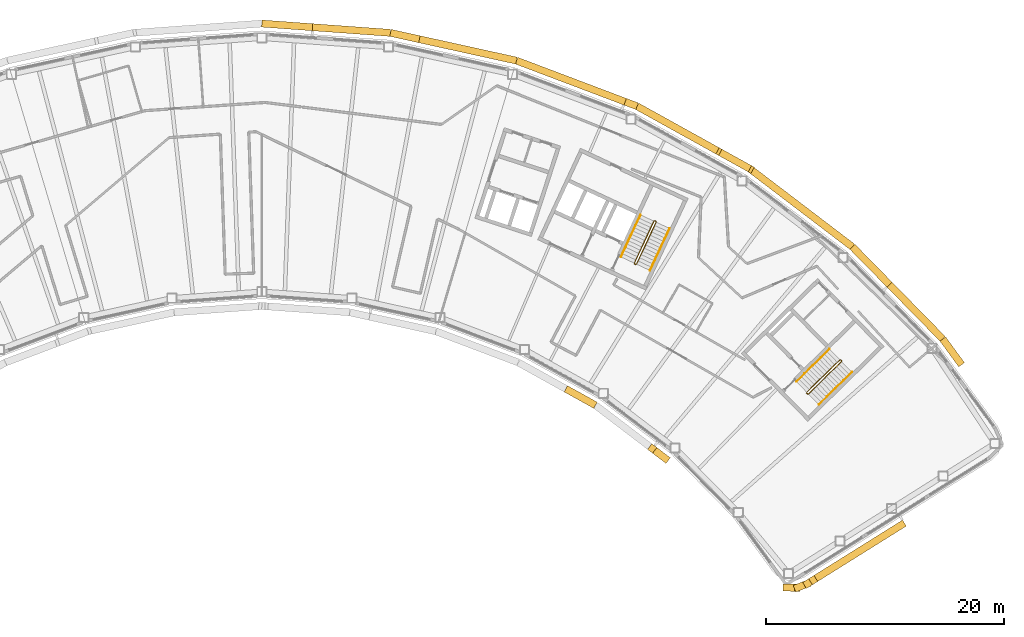
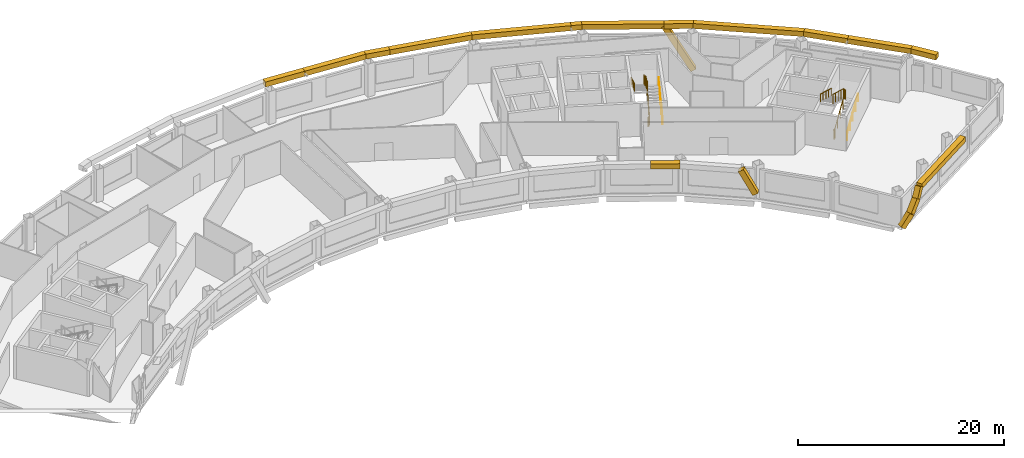
# One storey, part 14 of 15: 19 coverings, 6 railings.
"""IFC4 building model written with IfcOpenShell, lengths in metres."""

import ifcopenshell
import ifcopenshell.guid

model = None  # the IFC model being written
_history = None  # IfcOwnerHistory: only IFC2X3 demands one
_inside = {}  # id of a spatial element -> (the spatial element, [elements in it])
_under = {}  # id of a project, library or spatial element -> (it, [spatial elements below it])
_declared = {}  # id of a project -> (the project, [libraries it declares])
_typed = {}  # id of a type object -> (the type object, [elements of that type])
_made_of = {}  # id of a material, layer set ... -> (it, [elements and type objects made of it])


def new_model(schema):
    """Start an empty IFC model of exactly this schema.

    Asked for "IFC4X3", IfcOpenShell would pick the latest addendum, in which some entities
    have other attributes; the version numbers below select the first issue.
    IFC2X3 requires an IfcOwnerHistory on every rooted entity: one is made here for all.
    """
    global model, _history
    if schema == "IFC4X3":
        model = ifcopenshell.file(schema_version=(4, 3, 0, 0))
    else:
        model = ifcopenshell.file(schema=schema)
    _inside.clear()
    _under.clear()
    _declared.clear()
    _typed.clear()
    _made_of.clear()
    _history = None
    if model.schema == "IFC2X3":
        org = make("IfcOrganization", Name="unknown")
        user = make(
            "IfcPersonAndOrganization",
            ThePerson=make("IfcPerson", FamilyName="unknown"),
            TheOrganization=org,
        )
        app = make(
            "IfcApplication",
            ApplicationDeveloper=org,
            Version="unknown",
            ApplicationFullName="unknown",
            ApplicationIdentifier="unknown",
        )
        _history = make(
            "IfcOwnerHistory",
            OwningUser=user,
            OwningApplication=app,
            ChangeAction="ADDED",
            CreationDate=0,
        )
    return model


def make(cls, **values):
    """One entity of the class cls with the attributes given. An attribute that is None is left unset."""
    return model.create_entity(
        cls, **{name: value for name, value in values.items() if value is not None}
    )


def rooted(cls, **values):
    """An entity with a GlobalId (a new one), such as an element, a storey or a relation."""
    return make(cls, GlobalId=ifcopenshell.guid.new(), OwnerHistory=_history, **values)


def si_unit(unit_type, name, prefix=None):
    """IfcSIUnit, for example si_unit("LENGTHUNIT", "METRE", prefix="MILLI")."""
    return make("IfcSIUnit", UnitType=unit_type, Prefix=prefix, Name=name)


def assignment(units):
    """IfcUnitAssignment: the units of a project."""
    return None if units is None else make("IfcUnitAssignment", Units=units)


def point(xyz):
    """IfcCartesianPoint."""
    return None if xyz is None else make("IfcCartesianPoint", Coordinates=xyz)


def direction(xyz):
    """IfcDirection."""
    return None if xyz is None else make("IfcDirection", DirectionRatios=xyz)


def frame(location, z_axis=None, x_axis=None):
    """IfcAxis2Placement3D, a coordinate frame: its origin and axes. An axis left out is left unset."""
    return make(
        "IfcAxis2Placement3D",
        Location=point(location),
        Axis=direction(z_axis),
        RefDirection=direction(x_axis),
    )


def frame_2d(location, x_axis=None):
    """IfcAxis2Placement2D, a coordinate frame in the plane: its origin and x axis."""
    return make(
        "IfcAxis2Placement2D", Location=point(location), RefDirection=direction(x_axis)
    )


def origin():
    """The frame at (0, 0, 0) with its axes left unset."""
    return frame((0.0, 0.0, 0.0))


def origin_2d():
    """The frame at (0, 0) in the plane with its x axis left unset."""
    return frame_2d((0.0, 0.0))


def place(relative_to, where):
    """IfcLocalPlacement: puts the frame where relative to a parent placement (None: the world)."""
    return make(
        "IfcLocalPlacement", PlacementRelTo=relative_to, RelativePlacement=where
    )


def context(
    kind, dimensions, precision=None, world=None, true_north=None, identifier=None
):
    """IfcGeometricRepresentationContext, for example the 3D "Model" context."""
    return make(
        "IfcGeometricRepresentationContext",
        ContextIdentifier=identifier,
        ContextType=kind,
        CoordinateSpaceDimension=dimensions,
        Precision=precision,
        WorldCoordinateSystem=world,
        TrueNorth=true_north,
    )


def subcontext(parent, identifier, kind, view, scale=None):
    """IfcGeometricRepresentationSubContext, for example "Body" below "Model"."""
    return make(
        "IfcGeometricRepresentationSubContext",
        ContextIdentifier=identifier,
        ContextType=kind,
        ParentContext=parent,
        TargetScale=scale,
        TargetView=view,
    )


def project(units=None, contexts=None):
    """IfcProject with its units and contexts."""
    return rooted(
        "IfcProject",
        Name="project",
        RepresentationContexts=contexts,
        UnitsInContext=assignment(units),
    )


def spatial(cls, under=None, at=None, **own):
    """A site, building, storey or space (cls), placed at a placement, below another one or the project."""
    s = rooted(cls, ObjectPlacement=at, **own)
    if under is not None:
        _under.setdefault(under.id(), (under, []))[1].append(s)
    return s


def profile(cls, at=None, kind="AREA", **sizes):
    """A parametric profile (cls). Its sizes go by their IFC names, for example OverallWidth=200.0."""
    return make(cls, ProfileType=kind, Position=at, **sizes)


def rectangle(**sizes):
    """IfcRectangleProfileDef."""
    return profile("IfcRectangleProfileDef", **sizes)


def circle(**sizes):
    """IfcCircleProfileDef."""
    return profile("IfcCircleProfileDef", **sizes)


def extrude(swept, where, along, depth):
    """IfcExtrudedAreaSolid: the profile swept, set in the frame where, extruded along a direction by depth."""
    return make(
        "IfcExtrudedAreaSolid",
        SweptArea=swept,
        Position=where,
        ExtrudedDirection=direction(along),
        Depth=depth,
    )


def shape(context_of_items, identifier, shape_type, items):
    """IfcShapeRepresentation: the items that make up one representation, for example the "Body"."""
    return make(
        "IfcShapeRepresentation",
        ContextOfItems=context_of_items,
        RepresentationIdentifier=identifier,
        RepresentationType=shape_type,
        Items=items,
    )


def material(Name=None, Category=None):
    """IfcMaterial."""
    return make("IfcMaterial", Name=Name, Category=Category)


def material_profile(
    of_material, cross_section, Name=None, Category=None, Priority=None
):
    """IfcMaterialProfile: a cross section and its material."""
    return make(
        "IfcMaterialProfile",
        Name=Name,
        Material=of_material,
        Profile=cross_section,
        Priority=Priority,
        Category=Category,
    )


def profile_set(profiles, Name=None, composite=None):
    """IfcMaterialProfileSet."""
    return make(
        "IfcMaterialProfileSet",
        Name=Name,
        MaterialProfiles=profiles,
        CompositeProfile=composite,
    )


def made_of(thing, what):
    """Note that an element or type object is made of a material, layer set ...; save() writes the relation."""
    if what is not None:
        _made_of.setdefault(what.id(), (what, []))[1].append(thing)
    return thing


def type_object(cls, material=None, **own):
    """A type object (cls), such as IfcWallType, which elements share."""
    return made_of(rooted(cls, **own), material)


def element(
    cls,
    number,
    at=None,
    inside=None,
    cuts=None,
    type_object=None,
    material=None,
    context=None,
    identifier="Body",
    shape_type=None,
    held_by="IfcProductDefinitionShape",
    body=None,
    shapes=None,
    **own,
):
    """One element of the class cls, such as IfcWall. Its Tag is "e" and its number.

    at: its placement. inside: the storey or other place that contains it. cuts: it is an
    opening in that element (IfcRelVoidsElement). A single representation is given by context,
    identifier, shape_type and body (its items); several are given by shapes. held_by: the class
    of the entity that holds the representations. save() writes the other relations.
    """
    e = rooted(cls, Tag="e%d" % number, ObjectPlacement=at, **own)
    if body is not None:
        shapes = [shape(context, identifier, shape_type, body)]
    if shapes is not None:
        e.Representation = make(held_by, Representations=shapes)
    if inside is not None:
        _inside.setdefault(inside.id(), (inside, []))[1].append(e)
    if cuts is not None:
        rooted(
            "IfcRelVoidsElement", RelatingBuildingElement=cuts, RelatedOpeningElement=e
        )
    if type_object is not None:
        _typed.setdefault(type_object.id(), (type_object, []))[1].append(e)
    return made_of(e, material)


def aggregate(whole, parts):
    """IfcRelAggregates: a whole, such as a stair, and the parts it consists of."""
    return rooted("IfcRelAggregates", RelatingObject=whole, RelatedObjects=parts)


def save(model, path):
    """Write the relations noted so far, then the file.

    IfcRelAggregates (storeys below a building ...), IfcRelContainedInSpatialStructure (elements
    in a storey), IfcRelDefinesByType, IfcRelAssociatesMaterial and IfcRelDeclares: one each for
    every whole, place, type object, material and project.
    """
    for whole, parts in _under.values():
        aggregate(whole, parts)
    for where, things in _inside.values():
        rooted(
            "IfcRelContainedInSpatialStructure",
            RelatedElements=things,
            RelatingStructure=where,
        )
    for kind, things in _typed.values():
        rooted("IfcRelDefinesByType", RelatedObjects=things, RelatingType=kind)
    for what, things in _made_of.values():
        rooted("IfcRelAssociatesMaterial", RelatedObjects=things, RelatingMaterial=what)
    for by, libraries in _declared.values():
        rooted("IfcRelDeclares", RelatingContext=by, RelatedDefinitions=libraries)
    model.write(path)


model = new_model("IFC4")

# Units and contexts
model_context = context("Model", 3, precision=1e-05, world=origin(), true_north=direction((0.0, 1.0)))
body_context = subcontext(model_context, "Body", "Model", "MODEL_VIEW")
ifc_project = project(units=[si_unit("LENGTHUNIT", "METRE"), si_unit("AREAUNIT", "SQUARE_METRE"), si_unit("VOLUMEUNIT", "CUBIC_METRE"), si_unit("PLANEANGLEUNIT", "RADIAN"), si_unit("MASSUNIT", "GRAM", prefix="KILO")], contexts=[model_context])

# Site, building, storey
site_placement = place(None, origin())
site = spatial("IfcSite", under=ifc_project, at=site_placement, CompositionType="ELEMENT")
building_placement = place(site_placement, origin())
building = spatial("IfcBuilding", under=site, at=building_placement, Name="Tuul Gate Civic Tower", CompositionType="ELEMENT")
storey_placement = place(building_placement, frame((0.0, 0.0, 332.300048828125)))
storey = spatial("IfcBuildingStorey", under=building, at=storey_placement, Name="Level 75", CompositionType="ELEMENT", Elevation=332.300048828125)

# Railings
ifc_material_1 = material(Name="Painted steel", Category="steel")
railing_type_1 = type_object("IfcRailingType", Name="Stair guard", PredefinedType="GUARDRAIL", material=ifc_material_1)
railing_1_placement = place(storey_placement, frame((48.10546875, -16.134765625, 0.0)))
element("IfcRailing", 1, at=railing_1_placement, inside=storey, type_object=railing_type_1, Name="Level 75 ST-3 stair guard 1", PredefinedType="GUARDRAIL", context=body_context, shape_type="SweptSolid", body=[
    extrude(circle(Radius=0.02392578125, at=origin_2d()), frame((0.0, 0.0, 1.076171875), z_axis=(-0.698506948293, 0.715603272202, 0.0), x_axis=(-0.715603272202, -0.698506948293, 0.0)), (0.0, 0.0, 1.0), 0.099853515625),
    extrude(circle(Radius=0.02392578125, at=origin_2d()), frame((-0.06982421875, 0.071533203125, 1.076171875), z_axis=(0.645446321009, -0.331687692741, 0.688027849131), x_axis=(0.457068866502, 0.889431307788, 0.0)), (0.0, 0.0, 1.0), 0.2177734375),
    extrude(circle(Radius=0.02392578125, at=origin_2d()), frame((0.07080078125, -0.000732421875, 1.22607421875), z_axis=(0.638731261263, 0.626133563701, 0.447190268558), x_axis=(-0.700029477518, 0.714113947914, 0.0)), (0.0, 0.0, 1.0), 4.3603515625),
    extrude(circle(Radius=0.02392578125, at=origin_2d()), frame((2.85595703125, 2.7294921875, 3.17578125), z_axis=(0.010380063588, 0.999946125689, 0.0), x_axis=(-0.999946125689, 0.010380063588, 0.0)), (0.0, 0.0, 1.0), 0.070556640625),
    extrude(circle(Radius=0.02392578125, at=origin_2d()), frame((2.856689453125, 2.800048828125, 3.17578125), z_axis=(-0.699754442181, 0.714383454909, 0.0), x_axis=(-0.714383454909, -0.699754442181, 0.0)), (0.0, 0.0, 1.0), 0.10009765625),
    extrude(circle(Radius=0.02392578125, at=origin_2d()), frame((2.78662109375, 2.87158203125, 3.17578125), z_axis=(-0.426501027327, 0.004412079593, 0.904476316574), x_axis=(-0.010344274102, -0.999946496565, 0.0)), (0.0, 0.0, 1.0), 0.166015625),
    extrude(circle(Radius=0.02392578125, at=origin_2d()), frame((2.7158203125, 2.872314453125, 3.326171875), z_axis=(-0.638731261263, -0.626133563701, 0.447190268558), x_axis=(0.700029477518, -0.714113947914, 0.0)), (0.0, 0.0, 1.0), 4.3603515625),
    extrude(circle(Radius=0.02099609375, at=origin_2d()), origin(), (0.0, 0.0, 1.0), 1.052001953125),
    extrude(circle(Radius=0.02099609375, at=origin_2d()), frame((-0.06982421875, 0.071533203125, 0.0)), (0.0, 0.0, 1.0), 1.052001953125),
    extrude(circle(Radius=0.02099609375, at=origin_2d()), frame((0.07080078125, -0.000732421875, 0.14990234375)), (0.0, 0.0, 1.0), 1.052001953125),
    extrude(circle(Radius=0.02099609375, at=origin_2d()), frame((0.76708984375, 0.681884765625, 0.637451171875)), (0.0, 0.0, 1.0), 1.052001953125),
    extrude(circle(Radius=0.02099609375, at=origin_2d()), frame((1.46337890625, 1.3642578125, 1.125)), (0.0, 0.0, 1.0), 1.052001953125),
    extrude(circle(Radius=0.02099609375, at=origin_2d()), frame((2.15966796875, 2.046875, 1.6123046875)), (0.0, 0.0, 1.0), 1.052001953125),
    extrude(circle(Radius=0.02099609375, at=origin_2d()), frame((2.85595703125, 2.7294921875, 2.099853515625)), (0.0, 0.0, 1.0), 1.052001953125),
    extrude(circle(Radius=0.02099609375, at=origin_2d()), frame((2.856689453125, 2.800048828125, 2.099853515625)), (0.0, 0.0, 1.0), 1.052001953125),
    extrude(circle(Radius=0.02099609375, at=origin_2d()), frame((2.78662109375, 2.87158203125, 2.099853515625)), (0.0, 0.0, 1.0), 1.052001953125),
    extrude(circle(Radius=0.02099609375, at=origin_2d()), frame((2.7158203125, 2.872314453125, 2.25)), (0.0, 0.0, 1.0), 1.052001953125),
    extrude(circle(Radius=0.02099609375, at=origin_2d()), frame((2.01953125, 2.189697265625, 2.737548828125)), (0.0, 0.0, 1.0), 1.052001953125),
    extrude(circle(Radius=0.02099609375, at=origin_2d()), frame((1.3232421875, 1.50732421875, 3.22509765625)), (0.0, 0.0, 1.0), 1.052001953125),
    extrude(circle(Radius=0.02099609375, at=origin_2d()), frame((0.626953125, 0.82470703125, 3.71240234375)), (0.0, 0.0, 1.0), 1.052001953125),
    extrude(circle(Radius=0.02099609375, at=origin_2d()), frame((-0.0693359375, 0.14208984375, 4.199951171875)), (0.0, 0.0, 1.0), 1.052001953125),
])
railing_2_placement = place(storey_placement, frame((33.645751953125, -5.238525390625, 0.0)))
element("IfcRailing", 2, at=railing_2_placement, inside=storey, type_object=railing_type_1, Name="Level 75 ST-4 stair guard 1", PredefinedType="GUARDRAIL", context=body_context, shape_type="SweptSolid", body=[
    extrude(circle(Radius=0.02392578125, at=origin_2d()), frame((0.0, 0.0, 1.076171875), z_axis=(-0.906307919131, 0.422617978463, 0.0), x_axis=(-0.422617978463, -0.906307919131, 0.0)), (0.0, 0.0, 1.0), 0.099853515625),
    extrude(circle(Radius=0.02392578125, at=origin_2d()), frame((-0.090576171875, 0.042236328125, 1.076171875), z_axis=(0.720735628292, -0.082946246491, 0.688229666829), x_axis=(0.114330889033, 0.993442724979, 0.0)), (0.0, 0.0, 1.0), 0.2177734375),
    extrude(circle(Radius=0.02392578125, at=origin_2d()), frame((0.06640625, 0.024169921875, 1.22607421875), z_axis=(0.377946903738, 0.810654114417, 0.447209173356), x_axis=(-0.906336612539, 0.422556439746, 0.0)), (0.0, 0.0, 1.0), 4.3603515625),
    extrude(circle(Radius=0.02392578125, at=origin_2d()), frame((1.71435546875, 3.558837890625, 3.17578125), z_axis=(-0.342020437038, 0.939692513883, 0.0), x_axis=(-0.939692513883, -0.342020437038, 0.0)), (0.0, 0.0, 1.0), 0.070556640625),
    extrude(circle(Radius=0.02392578125, at=origin_2d()), frame((1.690185546875, 3.625244140625, 3.17578125), z_axis=(-0.906307919131, 0.422617978463, 0.0), x_axis=(-0.422617978463, -0.906307919131, 0.0)), (0.0, 0.0, 1.0), 0.099853515625),
    extrude(circle(Radius=0.02392578125, at=origin_2d()), frame((1.599609375, 3.66748046875, 3.17578125), z_axis=(-0.400168791901, -0.145649670582, 0.904793408159), x_axis=(0.342020437038, -0.939692513883, 0.0)), (0.0, 0.0, 1.0), 0.166015625),
    extrude(circle(Radius=0.02392578125, at=origin_2d()), frame((1.533203125, 3.643310546875, 3.326171875), z_axis=(-0.377946903738, -0.810654114417, 0.447209173356), x_axis=(0.906336612539, -0.422556439746, 0.0)), (0.0, 0.0, 1.0), 4.3603515625),
    extrude(circle(Radius=0.02099609375, at=origin_2d()), origin(), (0.0, 0.0, 1.0), 1.052001953125),
    extrude(circle(Radius=0.02099609375, at=origin_2d()), frame((-0.090576171875, 0.042236328125, 0.0)), (0.0, 0.0, 1.0), 1.052001953125),
    extrude(circle(Radius=0.02099609375, at=origin_2d()), frame((0.06640625, 0.024169921875, 0.14990234375)), (0.0, 0.0, 1.0), 1.052001953125),
    extrude(circle(Radius=0.02099609375, at=origin_2d()), frame((0.478515625, 0.90771484375, 0.637451171875)), (0.0, 0.0, 1.0), 1.052001953125),
    extrude(circle(Radius=0.02099609375, at=origin_2d()), frame((0.890380859375, 1.79150390625, 1.125)), (0.0, 0.0, 1.0), 1.052001953125),
    extrude(circle(Radius=0.02099609375, at=origin_2d()), frame((1.30224609375, 2.67529296875, 1.6123046875)), (0.0, 0.0, 1.0), 1.052001953125),
    extrude(circle(Radius=0.02099609375, at=origin_2d()), frame((1.71435546875, 3.558837890625, 2.099853515625)), (0.0, 0.0, 1.0), 1.052001953125),
    extrude(circle(Radius=0.02099609375, at=origin_2d()), frame((1.690185546875, 3.625244140625, 2.099853515625)), (0.0, 0.0, 1.0), 1.052001953125),
    extrude(circle(Radius=0.02099609375, at=origin_2d()), frame((1.599609375, 3.66748046875, 2.099853515625)), (0.0, 0.0, 1.0), 1.052001953125),
    extrude(circle(Radius=0.02099609375, at=origin_2d()), frame((1.533203125, 3.643310546875, 2.25)), (0.0, 0.0, 1.0), 1.052001953125),
    extrude(circle(Radius=0.02099609375, at=origin_2d()), frame((1.12109375, 2.759765625, 2.737548828125)), (0.0, 0.0, 1.0), 1.052001953125),
    extrude(circle(Radius=0.02099609375, at=origin_2d()), frame((0.709228515625, 1.8759765625, 3.22509765625)), (0.0, 0.0, 1.0), 1.052001953125),
    extrude(circle(Radius=0.02099609375, at=origin_2d()), frame((0.29736328125, 0.9921875, 3.71240234375)), (0.0, 0.0, 1.0), 1.052001953125),
    extrude(circle(Radius=0.02099609375, at=origin_2d()), frame((-0.11474609375, 0.108642578125, 4.199951171875)), (0.0, 0.0, 1.0), 1.052001953125),
])
ifc_material_2 = material(Name="Painted steel", Category="steel")
railing_type_2 = type_object("IfcRailingType", Name="Stair handrail", PredefinedType="HANDRAIL", material=ifc_material_2)
railing_3_placement = place(storey_placement, frame((49.05126953125, -17.028076171875, 0.14990234375)))
element("IfcRailing", 3, at=railing_3_placement, inside=storey, type_object=railing_type_2, Name="Level 75 ST-3 stair handrail 1", PredefinedType="HANDRAIL", context=body_context, shape_type="SweptSolid", body=[
    extrude(circle(Radius=0.02392578125, at=origin_2d()), frame((0.0, 0.0, 0.8759765625), z_axis=(0.638753653487, 0.626099522554, 0.447205945863), x_axis=(-0.699997553204, 0.714145241186, 0.0)), (0.0, 0.0, 1.0), 4.3603515625),
    extrude(circle(Radius=0.02099609375, at=origin_2d()), origin(), (0.0, 0.0, 1.0), 0.851806640625),
    extrude(circle(Radius=0.02099609375, at=origin_2d()), frame((0.6962890625, 0.6826171875, 0.487548828125)), (0.0, 0.0, 1.0), 0.851806640625),
    extrude(circle(Radius=0.02099609375, at=origin_2d()), frame((1.392578125, 1.364990234375, 0.97509765625)), (0.0, 0.0, 1.0), 0.851806640625),
    extrude(circle(Radius=0.02099609375, at=origin_2d()), frame((2.0888671875, 2.04736328125, 1.46240234375)), (0.0, 0.0, 1.0), 0.851806640625),
    extrude(circle(Radius=0.02099609375, at=origin_2d()), frame((2.78515625, 2.72998046875, 1.949951171875)), (0.0, 0.0, 1.0), 0.851806640625),
])
railing_4_placement = place(storey_placement, frame((49.9462890625, -12.369873046875, 2.25)))
element("IfcRailing", 4, at=railing_4_placement, inside=storey, type_object=railing_type_2, Name="Level 75 ST-3 stair handrail 2", PredefinedType="HANDRAIL", context=body_context, shape_type="SweptSolid", body=[
    extrude(circle(Radius=0.02392578125, at=origin_2d()), frame((0.0, 0.0, 0.8759765625), z_axis=(-0.638753653487, -0.626099522554, 0.447205945863), x_axis=(0.699997553204, -0.714145241186, 0.0)), (0.0, 0.0, 1.0), 4.3603515625),
    extrude(circle(Radius=0.02099609375, at=origin_2d()), origin(), (0.0, 0.0, 1.0), 0.851806640625),
    extrude(circle(Radius=0.02099609375, at=origin_2d()), frame((-0.6962890625, -0.6826171875, 0.487548828125)), (0.0, 0.0, 1.0), 0.851806640625),
    extrude(circle(Radius=0.02099609375, at=origin_2d()), frame((-1.392578125, -1.364990234375, 0.97509765625)), (0.0, 0.0, 1.0), 0.851806640625),
    extrude(circle(Radius=0.02099609375, at=origin_2d()), frame((-2.0888671875, -2.04736328125, 1.46240234375)), (0.0, 0.0, 1.0), 0.851806640625),
    extrude(circle(Radius=0.02099609375, at=origin_2d()), frame((-2.78515625, -2.72998046875, 1.949951171875)), (0.0, 0.0, 1.0), 0.851806640625),
])
railing_5_placement = place(storey_placement, frame((34.844970703125, -5.74267578125, 0.14990234375)))
element("IfcRailing", 5, at=railing_5_placement, inside=storey, type_object=railing_type_2, Name="Level 75 ST-4 stair handrail 1", PredefinedType="HANDRAIL", context=body_context, shape_type="SweptSolid", body=[
    extrude(circle(Radius=0.02392578125, at=origin_2d()), frame((0.0, 0.0, 0.8759765625), z_axis=(0.377994896215, 0.810636958585, 0.447199709091), x_axis=(-0.906312636903, 0.422607861012, 0.0)), (0.0, 0.0, 1.0), 4.3603515625),
    extrude(circle(Radius=0.02099609375, at=origin_2d()), origin(), (0.0, 0.0, 1.0), 0.851806640625),
    extrude(circle(Radius=0.02099609375, at=origin_2d()), frame((0.412109375, 0.8837890625, 0.487548828125)), (0.0, 0.0, 1.0), 0.851806640625),
    extrude(circle(Radius=0.02099609375, at=origin_2d()), frame((0.82421875, 1.767333984375, 0.97509765625)), (0.0, 0.0, 1.0), 0.851806640625),
    extrude(circle(Radius=0.02099609375, at=origin_2d()), frame((1.236083984375, 2.65087890625, 1.46240234375)), (0.0, 0.0, 1.0), 0.851806640625),
    extrude(circle(Radius=0.02099609375, at=origin_2d()), frame((1.648193359375, 3.53466796875, 1.949951171875)), (0.0, 0.0, 1.0), 0.851806640625),
])
railing_6_placement = place(storey_placement, frame((34.046142578125, -1.06689453125, 2.25)))
element("IfcRailing", 6, at=railing_6_placement, inside=storey, type_object=railing_type_2, Name="Level 75 ST-4 stair handrail 2", PredefinedType="HANDRAIL", context=body_context, shape_type="SweptSolid", body=[
    extrude(circle(Radius=0.02392578125, at=origin_2d()), frame((0.0, 0.0, 0.8759765625), z_axis=(-0.377994896215, -0.810636958585, 0.447199709091), x_axis=(0.906312636903, -0.422607861012, 0.0)), (0.0, 0.0, 1.0), 4.3603515625),
    extrude(circle(Radius=0.02099609375, at=origin_2d()), origin(), (0.0, 0.0, 1.0), 0.851806640625),
    extrude(circle(Radius=0.02099609375, at=origin_2d()), frame((-0.412109375, -0.8837890625, 0.487548828125)), (0.0, 0.0, 1.0), 0.851806640625),
    extrude(circle(Radius=0.02099609375, at=origin_2d()), frame((-0.82421875, -1.767333984375, 0.97509765625)), (0.0, 0.0, 1.0), 0.851806640625),
    extrude(circle(Radius=0.02099609375, at=origin_2d()), frame((-1.236083984375, -2.65087890625, 1.46240234375)), (0.0, 0.0, 1.0), 0.851806640625),
    extrude(circle(Radius=0.02099609375, at=origin_2d()), frame((-1.648193359375, -3.53466796875, 1.949951171875)), (0.0, 0.0, 1.0), 0.851806640625),
])

# Coverings
ifc_material_3 = material(Name="Terracotta baguette", Category="masonry")
ifc_material_profile = material_profile(ifc_material_3, rectangle(XDim=0.60009765625, YDim=0.60009765625, at=origin_2d()), Name="Terracotta baguette screen frame")
ifc_profile_set = profile_set([ifc_material_profile], Name="Terracotta baguette")
covering_type = type_object("IfcCoveringType", Name="Terracotta baguette screen frame", PredefinedType="CLADDING", material=ifc_profile_set)
covering_1_placement = place(storey_placement, frame((61.062744140625, -13.6748046875, 3.849853515625), z_axis=(-0.58975169847, 0.807584629715, 0.0), x_axis=(-0.807584629715, -0.58975169847, 0.0)))
element("IfcCovering", 7, at=covering_1_placement, inside=storey, type_object=covering_type, Name="Baguette 23", PredefinedType="CLADDING", context=body_context, shape_type="SweptSolid", body=[
    extrude(rectangle(XDim=0.60009765625, YDim=0.60009765625, at=origin_2d()), origin(), (0.0, 0.0, 1.0), 2.680908203125),
])
covering_2_placement = place(storey_placement, frame((59.481689453125, -11.509765625, 3.849853515625), z_axis=(-0.700039399016, 0.714104221963, 0.0), x_axis=(-0.714104221963, -0.700039399016, 0.0)))
element("IfcCovering", 8, at=covering_2_placement, inside=storey, type_object=covering_type, Name="Baguette 24", PredefinedType="CLADDING", context=body_context, shape_type="SweptSolid", body=[
    extrude(rectangle(XDim=0.60009765625, YDim=0.60009765625, at=origin_2d()), origin(), (0.0, 0.0, 1.0), 6.4052734375),
])
covering_3_placement = place(storey_placement, frame((43.252197265625, 2.8125, -1.423828125), z_axis=(-0.415603488122, 0.2303884474, 0.879883460445), x_axis=(-0.484834849005, -0.874605722135, 0.0)))
element("IfcCovering", 9, at=covering_3_placement, inside=storey, type_object=covering_type, Name="Baguette 40", PredefinedType="CLADDING", context=body_context, shape_type="SweptSolid", body=[
    extrude(rectangle(XDim=0.60009765625, YDim=0.60009765625, at=origin_2d()), origin(), (0.0, 0.0, 1.0), 5.99365234375),
])
covering_4_placement = place(storey_placement, frame((40.76123046875, 4.193359375, 3.849853515625), z_axis=(-0.874641739175, 0.484769871272, 0.0), x_axis=(-0.484769871272, -0.874641739175, 0.0)))
element("IfcCovering", 10, at=covering_4_placement, inside=storey, type_object=covering_type, Name="Baguette 47", PredefinedType="CLADDING", context=body_context, shape_type="SweptSolid", body=[
    extrude(rectangle(XDim=0.60009765625, YDim=0.60009765625, at=origin_2d()), origin(), (0.0, 0.0, 1.0), 8.003662109375),
])
covering_5_placement = place(storey_placement, frame((33.760986328125, 8.0732421875, 3.849853515625), z_axis=(-0.935320988118, 0.353800295628, 0.0), x_axis=(-0.353800295628, -0.935320988118, 0.0)))
element("IfcCovering", 11, at=covering_5_placement, inside=storey, type_object=covering_type, Name="Baguette 48", PredefinedType="CLADDING", context=body_context, shape_type="SweptSolid", body=[
    extrude(rectangle(XDim=0.60009765625, YDim=0.60009765625, at=origin_2d()), origin(), (0.0, 0.0, 1.0), 1.06884765625),
])
covering_6_placement = place(storey_placement, frame((15.44482421875, 13.71142578125, 3.849853515625), z_axis=(-0.976564116236, 0.215226687194, 0.0), x_axis=(-0.215226687194, -0.976564116236, 0.0)))
element("IfcCovering", 12, at=covering_6_placement, inside=storey, type_object=covering_type, Name="Baguette 65", PredefinedType="CLADDING", context=body_context, shape_type="SweptSolid", body=[
    extrude(rectangle(XDim=0.60009765625, YDim=0.60009765625, at=origin_2d()), origin(), (0.0, 0.0, 1.0), 2.48876953125),
])
covering_7_placement = place(storey_placement, frame((13.014404296875, 14.2470703125, 3.849853515625), z_axis=(-0.997387429725, 0.072237905752, 0.0), x_axis=(-0.072237905752, -0.997387429725, 0.0)))
element("IfcCovering", 13, at=covering_7_placement, inside=storey, type_object=covering_type, Name="Baguette 66", PredefinedType="CLADDING", context=body_context, shape_type="SweptSolid", body=[
    extrude(rectangle(XDim=0.60009765625, YDim=0.60009765625, at=origin_2d()), origin(), (0.0, 0.0, 1.0), 6.58349609375),
])
covering_8_placement = place(storey_placement, frame((27.765380859375, -15.700439453125, 3.849853515625), z_axis=(0.874661324185, -0.484734533507, 0.0), x_axis=(0.484734533507, 0.874661324185, 0.0)))
element("IfcCovering", 14, at=covering_8_placement, inside=storey, type_object=covering_type, Name="Baguette 242", PredefinedType="CLADDING", context=body_context, shape_type="SweptSolid", body=[
    extrude(rectangle(XDim=0.60009765625, YDim=0.60009765625, at=origin_2d()), origin(), (0.0, 0.0, 1.0), 2.853271484375),
])
covering_9_placement = place(storey_placement, frame((35.033447265625, -20.718017578125, 3.849853515625), z_axis=(0.370821886599, -0.282446947362, -0.884711732908), x_axis=(0.605929173105, 0.795518596376, 0.0)))
element("IfcCovering", 15, at=covering_9_placement, inside=storey, type_object=covering_type, Name="Baguette 246", PredefinedType="CLADDING", context=body_context, shape_type="SweptSolid", body=[
    extrude(rectangle(XDim=0.60009765625, YDim=0.60009765625, at=origin_2d()), origin(), (0.0, 0.0, 1.0), 3.04443359375),
])
covering_10_placement = place(storey_placement, frame((46.26318359375, -32.4306640625, 0.177978515625), z_axis=(0.602776661081, -0.001662623689, 0.79790822313), x_axis=(0.002758264332, 0.999996195982, 0.0)))
element("IfcCovering", 16, at=covering_10_placement, inside=storey, type_object=covering_type, Name="Baguette 267", PredefinedType="CLADDING", context=body_context, shape_type="SweptSolid", body=[
    extrude(rectangle(XDim=0.60009765625, YDim=0.60009765625, at=origin_2d()), origin(), (0.0, 0.0, 1.0), 1.615234375),
])
covering_11_placement = place(storey_placement, frame((47.23681640625, -32.433349609375, 1.466796875), z_axis=(0.53407853992, 0.208042221945, 0.819437945842), x_axis=(-0.362969067807, 0.931801188997, 0.0)))
element("IfcCovering", 17, at=covering_11_placement, inside=storey, type_object=covering_type, Name="Baguette 268", PredefinedType="CLADDING", context=body_context, shape_type="SweptSolid", body=[
    extrude(rectangle(XDim=0.60009765625, YDim=0.60009765625, at=origin_2d()), origin(), (0.0, 0.0, 1.0), 1.572509765625),
])
covering_12_placement = place(storey_placement, frame((48.07666015625, -32.106201171875, 2.75537109375), z_axis=(0.402352266006, 0.251347438013, 0.880305128603), x_axis=(-0.52981289744, 0.848114552231, 0.0)))
element("IfcCovering", 18, at=covering_12_placement, inside=storey, type_object=covering_type, Name="Baguette 269", PredefinedType="CLADDING", context=body_context, shape_type="SweptSolid", body=[
    extrude(rectangle(XDim=0.60009765625, YDim=0.60009765625, at=origin_2d()), origin(), (0.0, 0.0, 1.0), 1.243408203125),
])
covering_13_placement = place(storey_placement, frame((48.576904296875, -31.793701171875, 3.849853515625), z_axis=(0.848051326016, 0.529914095342, 0.0), x_axis=(-0.529914095342, 0.848051326016, 0.0)))
element("IfcCovering", 19, at=covering_13_placement, inside=storey, type_object=covering_type, Name="Baguette 283", PredefinedType="CLADDING", context=body_context, shape_type="SweptSolid", body=[
    extrude(rectangle(XDim=0.60009765625, YDim=0.60009765625, at=origin_2d()), origin(), (0.0, 0.0, 1.0), 9.052978515625),
])
covering_14_placement = place(storey_placement, frame((54.997802734375, -6.935791015625, 3.849853515625), z_axis=(-0.700070312819, 0.714073915719, 0.0), x_axis=(-0.714073915719, -0.700070312819, 0.0)))
element("IfcCovering", 20, at=covering_14_placement, inside=storey, type_object=covering_type, Name="Baguette 291", PredefinedType="CLADDING", context=body_context, shape_type="SweptSolid", body=[
    extrude(rectangle(XDim=0.60009765625, YDim=0.60009765625, at=origin_2d()), origin(), (0.0, 0.0, 1.0), 4.44580078125),
])
covering_15_placement = place(storey_placement, frame((51.885498046875, -3.76123046875, 3.849853515625), z_axis=(-0.79561038643, 0.605808643884, 0.0), x_axis=(-0.605808643884, -0.79561038643, 0.0)))
element("IfcCovering", 21, at=covering_15_placement, inside=storey, type_object=covering_type, Name="Baguette 292", PredefinedType="CLADDING", context=body_context, shape_type="SweptSolid", body=[
    extrude(rectangle(XDim=0.60009765625, YDim=0.60009765625, at=origin_2d()), origin(), (0.0, 0.0, 1.0), 10.85107421875),
])
covering_16_placement = place(storey_placement, frame((43.252197265625, 2.8125, 3.849853515625), z_axis=(-0.874605722135, 0.484834849005, 0.0), x_axis=(-0.484834849005, -0.874605722135, 0.0)))
element("IfcCovering", 22, at=covering_16_placement, inside=storey, type_object=covering_type, Name="Baguette 293", PredefinedType="CLADDING", context=body_context, shape_type="SweptSolid", body=[
    extrude(rectangle(XDim=0.60009765625, YDim=0.60009765625, at=origin_2d()), origin(), (0.0, 0.0, 1.0), 2.84814453125),
])
covering_17_placement = place(storey_placement, frame((32.76123046875, 8.451416015625, 3.849853515625), z_axis=(-0.935348087792, 0.353728645523, 0.0), x_axis=(-0.353728645523, -0.935348087792, 0.0)))
element("IfcCovering", 23, at=covering_17_placement, inside=storey, type_object=covering_type, Name="Baguette 297", PredefinedType="CLADDING", context=body_context, shape_type="SweptSolid", body=[
    extrude(rectangle(XDim=0.60009765625, YDim=0.60009765625, at=origin_2d()), origin(), (0.0, 0.0, 1.0), 9.781982421875),
])
covering_18_placement = place(storey_placement, frame((23.611572265625, 11.91162109375, 3.849853515625), z_axis=(-0.976566109565, 0.215217642513, 0.0), x_axis=(-0.215217642513, -0.976566109565, 0.0)))
element("IfcCovering", 24, at=covering_18_placement, inside=storey, type_object=covering_type, Name="Baguette 298", PredefinedType="CLADDING", context=body_context, shape_type="SweptSolid", body=[
    extrude(rectangle(XDim=0.60009765625, YDim=0.60009765625, at=origin_2d()), origin(), (0.0, 0.0, 1.0), 8.36279296875),
])
covering_19_placement = place(storey_placement, frame((6.447998046875, 14.72265625, 3.849853515625), z_axis=(-0.997385871745, 0.072259413527, 0.0), x_axis=(-0.072259413527, -0.997385871745, 0.0)))
element("IfcCovering", 25, at=covering_19_placement, inside=storey, type_object=covering_type, Name="Baguette 302", PredefinedType="CLADDING", context=body_context, shape_type="SweptSolid", body=[
    extrude(rectangle(XDim=0.60009765625, YDim=0.60009765625, at=origin_2d()), origin(), (0.0, 0.0, 1.0), 4.267333984375),
])

save(model, "model.ifc")
